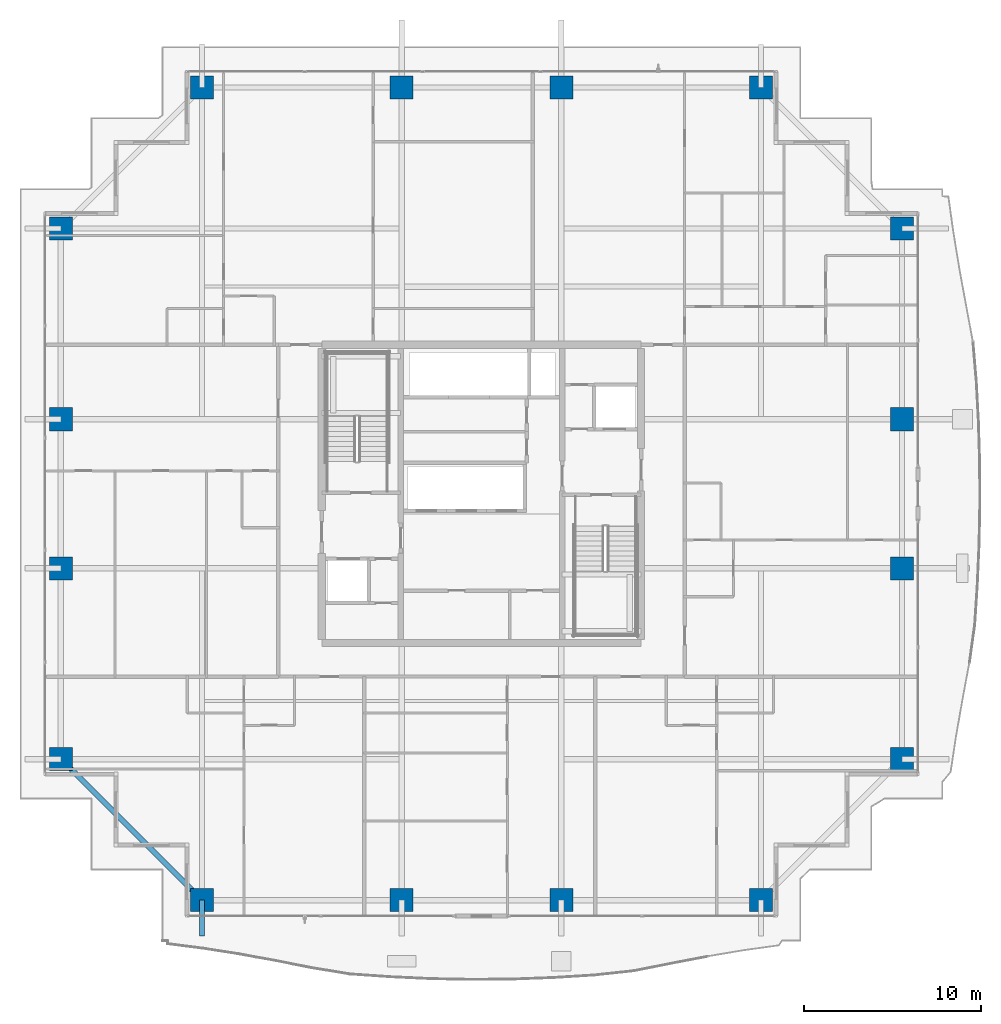
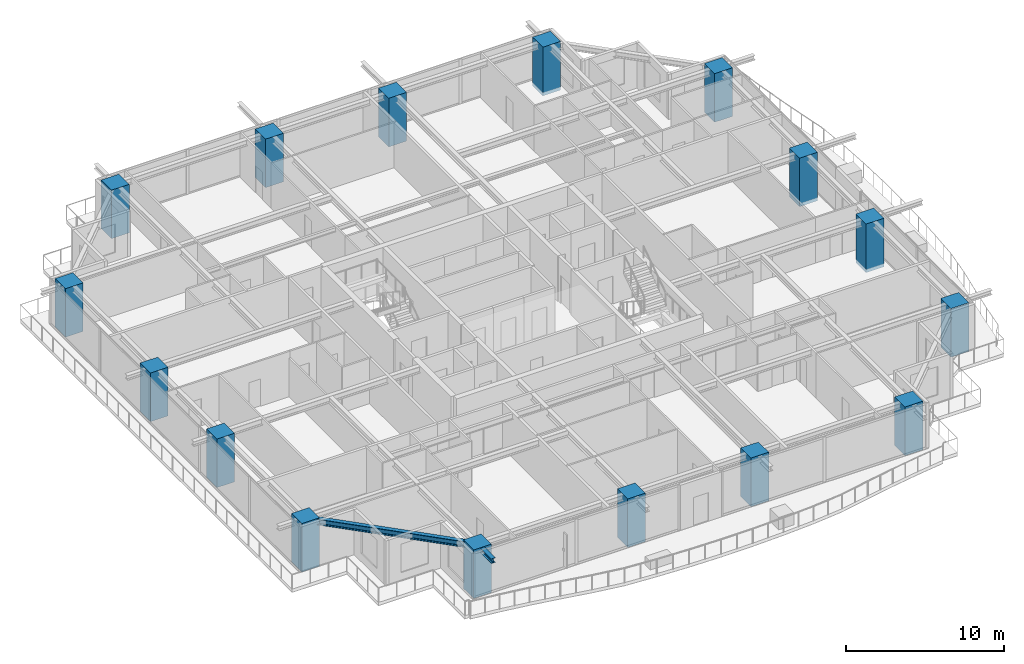
# One storey, part 1 of 35: 16 columns, 2 beams.
"""IFC4 building model written with IfcOpenShell, lengths in metres."""

from ifc_helpers import new_model, si_unit, direction, frame, origin, origin_2d, place, context, subcontext, project, spatial, rectangle, i_section, extrude, source, transform, mapped, material, material_profile, profile_set, type_object, element, save


model = new_model("IFC4")

# Units and contexts
model_context = context("Model", 3, precision=1e-05, world=origin(), true_north=direction((0.0, 1.0)))
body_context = subcontext(model_context, "Body", "Model", "MODEL_VIEW")
ifc_project = project(units=[si_unit("LENGTHUNIT", "METRE"), si_unit("AREAUNIT", "SQUARE_METRE"), si_unit("VOLUMEUNIT", "CUBIC_METRE"), si_unit("PLANEANGLEUNIT", "RADIAN"), si_unit("MASSUNIT", "GRAM", prefix="KILO")], contexts=[model_context])

# Site, building, storey
site_placement = place(None, origin())
site = spatial("IfcSite", under=ifc_project, at=site_placement, CompositionType="ELEMENT")
building_placement = place(site_placement, origin())
building = spatial("IfcBuilding", under=site, at=building_placement, Name="Serunith Strait Residences", CompositionType="ELEMENT")
storey_placement = place(building_placement, frame((0.0, 0.0, 191.39990234375)))
storey = spatial("IfcBuildingStorey", under=building, at=storey_placement, Name="L48", CompositionType="ELEMENT", Elevation=191.39990234375)

# Columns
ifc_material_1 = material(Name="Concrete C80/95", Category="concrete")
ifc_material_profile_1 = material_profile(ifc_material_1, rectangle(XDim=1.300048828125, YDim=1.300048828125, at=origin_2d()), Name="RC 1300x1300")
ifc_profile_set_1 = profile_set([ifc_material_profile_1], Name="Concrete C80/95")
column_type = type_object("IfcColumnType", Name="COL-RC-1300", PredefinedType="COLUMN", material=ifc_profile_set_1)
shared_shape_1 = source(origin(), body_context, "Body", "SweptSolid", [
    extrude(rectangle(XDim=1.300048828125, YDim=1.300048828125, at=origin_2d()), origin(), (0.0, 0.0, 1.0), 3.75),
])
for number, where, z_axis, x_axis, name in (
    (1, (16.64990234375, 2.300048828125, -0.260009765625), (0.0, 0.0, 1.0), (1.0, 0.0, 0.0), "L48 Tower Mega-Column TC-S1"),
    (2, (27.89990234375, 2.300048828125, -0.260009765625), (0.0, 0.0, 1.0), (1.0, 0.0, 0.0), "L48 Tower Mega-Column TC-S2"),
    (3, (36.89990234375, 2.300048828125, -0.260009765625), (0.0, 0.0, 1.0), (1.0, 0.0, 0.0), "L48 Tower Mega-Column TC-S3"),
    (4, (48.14990234375, 2.300048828125, -0.260009765625), (0.0, 0.0, 1.0), (1.0, 0.0, 0.0), "L48 Tower Mega-Column TC-S4"),
    (5, (16.64990234375, 48.10009765625, -0.260009765625), (0.0, 0.0, 1.0), (1.0, 0.0, 0.0), "L48 Tower Mega-Column TC-N1"),
    (6, (27.89990234375, 48.10009765625, -0.260009765625), (0.0, 0.0, 1.0), (1.0, 0.0, 0.0), "L48 Tower Mega-Column TC-N2"),
    (7, (36.89990234375, 48.10009765625, -0.260009765625), (0.0, 0.0, 1.0), (1.0, 0.0, 0.0), "L48 Tower Mega-Column TC-N3"),
    (8, (48.14990234375, 48.10009765625, -0.260009765625), (0.0, 0.0, 1.0), (1.0, 0.0, 0.0), "L48 Tower Mega-Column TC-N4"),
    (9, (56.10009765625, 10.25, -0.260009765625), (0.0, 0.0, 1.0), (1.0, 0.0, 0.0), "L48 Tower Mega-Column TC-E1"),
    (10, (56.10009765625, 21.0, -0.260009765625), (0.0, 0.0, 1.0), (1.0, 0.0, 0.0), "L48 Tower Mega-Column TC-E2"),
    (11, (56.10009765625, 29.39990234375, -0.260009765625), (0.0, 0.0, 1.0), (1.0, 0.0, 0.0), "L48 Tower Mega-Column TC-E3"),
    (12, (56.10009765625, 40.14990234375, -0.260009765625), (0.0, 0.0, 1.0), (1.0, 0.0, 0.0), "L48 Tower Mega-Column TC-E4"),
    (13, (8.699951171875, 10.25, -0.260009765625), (0.0, 0.0, 1.0), (1.0, 0.0, 0.0), "L48 Tower Mega-Column TC-W1"),
    (14, (8.699951171875, 21.0, -0.260009765625), (0.0, 0.0, 1.0), (1.0, 0.0, 0.0), "L48 Tower Mega-Column TC-W2"),
    (15, (8.699951171875, 29.39990234375, -0.260009765625), (0.0, 0.0, 1.0), (1.0, 0.0, 0.0), "L48 Tower Mega-Column TC-W3"),
    (16, (8.699951171875, 40.14990234375, -0.260009765625), (0.0, 0.0, 1.0), (1.0, 0.0, 0.0), "L48 Tower Mega-Column TC-W4"),
):
    element("IfcColumn", number, at=place(storey_placement, frame(where, z_axis=z_axis, x_axis=x_axis)), inside=storey, type_object=column_type, Name=name, PredefinedType="COLUMN", context=body_context, shape_type="MappedRepresentation", body=[
        mapped(shared_shape_1, transform((0.0, 0.0, 0.0), scale=1.0)),
    ])

# Beams
ifc_material_2 = material(Name="Steel S355J2", Category="steel")
ifc_material_profile_2 = material_profile(ifc_material_2, i_section(OverallWidth=0.300048828125, OverallDepth=0.449951171875, WebThickness=0.013916015625, FlangeThickness=0.02587890625, FilletRadius=0.027099609375, at=origin_2d()), Name="HEB 450")
ifc_profile_set_2 = profile_set([ifc_material_profile_2], Name="Steel S355J2")
beam_type_1 = type_object("IfcBeamType", Name="BM-HEB450", PredefinedType="BEAM", material=ifc_profile_set_2)
shared_shape_2 = source(origin(), body_context, "Body", "SweptSolid", [
    extrude(i_section(OverallWidth=0.300048828125, OverallDepth=0.449951171875, WebThickness=0.013916015625, FlangeThickness=0.02587890625, FilletRadius=0.027099609375, at=origin_2d()), origin(), (0.0, 0.0, 1.0), 11.242919921875),
])
beam_1_placement = place(storey_placement, frame((8.699951171875, 10.25, 3.232177734375), z_axis=(0.707106781187, -0.707106781187, 0.0), x_axis=(0.707106781187, 0.707106781187, 0.0)))
element("IfcBeam", 17, at=beam_1_placement, inside=storey, type_object=beam_type_1, Name="L48 Perimeter Ring Beam 16", PredefinedType="BEAM", context=body_context, shape_type="MappedRepresentation", body=[
    mapped(shared_shape_2, transform((0.0, 0.0, 0.0), scale=1.0)),
])
ifc_material_profile_3 = material_profile(ifc_material_2, i_section(OverallWidth=0.300048828125, OverallDepth=0.360107421875, WebThickness=0.012451171875, FlangeThickness=0.0224609375, FilletRadius=0.027099609375, at=origin_2d()), Name="HEB 360")
ifc_profile_set_3 = profile_set([ifc_material_profile_3], Name="Steel S355J2")
beam_type_2 = type_object("IfcBeamType", Name="BM-HEB360", PredefinedType="BEAM", material=ifc_profile_set_3)
shared_shape_3 = source(origin(), body_context, "Body", "SweptSolid", [
    extrude(i_section(OverallWidth=0.300048828125, OverallDepth=0.360107421875, WebThickness=0.012451171875, FlangeThickness=0.0224609375, FilletRadius=0.027099609375, at=origin_2d()), origin(), (0.0, 0.0, 1.0), 2.030029296875),
])
beam_2_placement = place(storey_placement, frame((16.64990234375, 2.300048828125, 3.277099609375), z_axis=(0.0, -1.0, 0.0), x_axis=(1.0, 0.0, 0.0)))
element("IfcBeam", 18, at=beam_2_placement, inside=storey, type_object=beam_type_2, Name="L49 Cantilevered Balcony Rib TC-S1", PredefinedType="BEAM", context=body_context, shape_type="MappedRepresentation", body=[
    mapped(shared_shape_3, transform((0.0, 0.0, 0.0), scale=1.0)),
])

save(model, "model.ifc")
